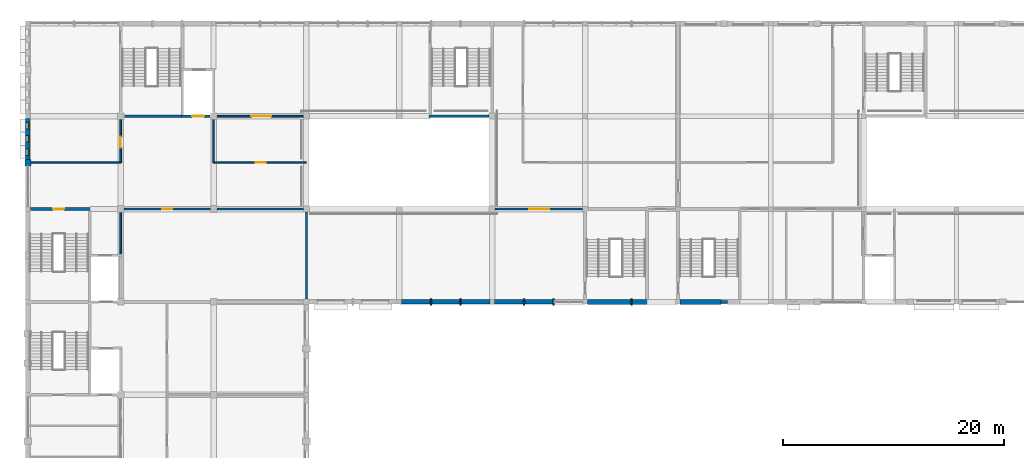
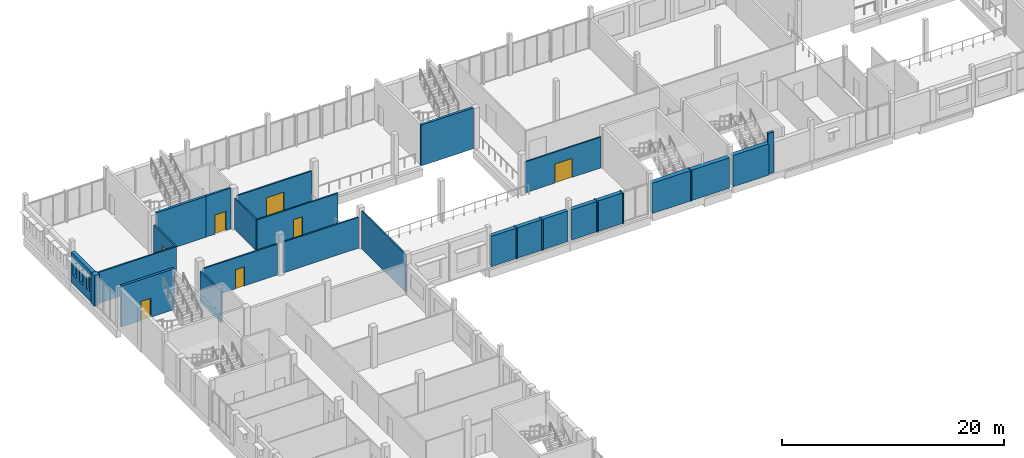
# One storey, part 97 of 116: 30 walls, 7 doors, 3 windows, 10 openings.
"""IFC4 building model written with IfcOpenShell, lengths in metres."""

import ifcopenshell
import ifcopenshell.guid

model = None  # the IFC model being written
_history = None  # IfcOwnerHistory: only IFC2X3 demands one
_inside = {}  # id of a spatial element -> (the spatial element, [elements in it])
_under = {}  # id of a project, library or spatial element -> (it, [spatial elements below it])
_declared = {}  # id of a project -> (the project, [libraries it declares])
_typed = {}  # id of a type object -> (the type object, [elements of that type])
_made_of = {}  # id of a material, layer set ... -> (it, [elements and type objects made of it])


def new_model(schema):
    """Start an empty IFC model of exactly this schema.

    Asked for "IFC4X3", IfcOpenShell would pick the latest addendum, in which some entities
    have other attributes; the version numbers below select the first issue.
    IFC2X3 requires an IfcOwnerHistory on every rooted entity: one is made here for all.
    """
    global model, _history
    if schema == "IFC4X3":
        model = ifcopenshell.file(schema_version=(4, 3, 0, 0))
    else:
        model = ifcopenshell.file(schema=schema)
    _inside.clear()
    _under.clear()
    _declared.clear()
    _typed.clear()
    _made_of.clear()
    _history = None
    if model.schema == "IFC2X3":
        org = make("IfcOrganization", Name="unknown")
        user = make(
            "IfcPersonAndOrganization",
            ThePerson=make("IfcPerson", FamilyName="unknown"),
            TheOrganization=org,
        )
        app = make(
            "IfcApplication",
            ApplicationDeveloper=org,
            Version="unknown",
            ApplicationFullName="unknown",
            ApplicationIdentifier="unknown",
        )
        _history = make(
            "IfcOwnerHistory",
            OwningUser=user,
            OwningApplication=app,
            ChangeAction="ADDED",
            CreationDate=0,
        )
    return model


def make(cls, **values):
    """One entity of the class cls with the attributes given. An attribute that is None is left unset."""
    return model.create_entity(
        cls, **{name: value for name, value in values.items() if value is not None}
    )


def rooted(cls, **values):
    """An entity with a GlobalId (a new one), such as an element, a storey or a relation."""
    return make(cls, GlobalId=ifcopenshell.guid.new(), OwnerHistory=_history, **values)


def si_unit(unit_type, name, prefix=None):
    """IfcSIUnit, for example si_unit("LENGTHUNIT", "METRE", prefix="MILLI")."""
    return make("IfcSIUnit", UnitType=unit_type, Prefix=prefix, Name=name)


def assignment(units):
    """IfcUnitAssignment: the units of a project."""
    return None if units is None else make("IfcUnitAssignment", Units=units)


def point(xyz):
    """IfcCartesianPoint."""
    return None if xyz is None else make("IfcCartesianPoint", Coordinates=xyz)


def direction(xyz):
    """IfcDirection."""
    return None if xyz is None else make("IfcDirection", DirectionRatios=xyz)


def frame(location, z_axis=None, x_axis=None):
    """IfcAxis2Placement3D, a coordinate frame: its origin and axes. An axis left out is left unset."""
    return make(
        "IfcAxis2Placement3D",
        Location=point(location),
        Axis=direction(z_axis),
        RefDirection=direction(x_axis),
    )


def frame_2d(location, x_axis=None):
    """IfcAxis2Placement2D, a coordinate frame in the plane: its origin and x axis."""
    return make(
        "IfcAxis2Placement2D", Location=point(location), RefDirection=direction(x_axis)
    )


def origin():
    """The frame at (0, 0, 0) with its axes left unset."""
    return frame((0.0, 0.0, 0.0))


def place(relative_to, where):
    """IfcLocalPlacement: puts the frame where relative to a parent placement (None: the world)."""
    return make(
        "IfcLocalPlacement", PlacementRelTo=relative_to, RelativePlacement=where
    )


def context(
    kind, dimensions, precision=None, world=None, true_north=None, identifier=None
):
    """IfcGeometricRepresentationContext, for example the 3D "Model" context."""
    return make(
        "IfcGeometricRepresentationContext",
        ContextIdentifier=identifier,
        ContextType=kind,
        CoordinateSpaceDimension=dimensions,
        Precision=precision,
        WorldCoordinateSystem=world,
        TrueNorth=true_north,
    )


def subcontext(parent, identifier, kind, view, scale=None):
    """IfcGeometricRepresentationSubContext, for example "Body" below "Model"."""
    return make(
        "IfcGeometricRepresentationSubContext",
        ContextIdentifier=identifier,
        ContextType=kind,
        ParentContext=parent,
        TargetScale=scale,
        TargetView=view,
    )


def project(units=None, contexts=None):
    """IfcProject with its units and contexts."""
    return rooted(
        "IfcProject",
        Name="project",
        RepresentationContexts=contexts,
        UnitsInContext=assignment(units),
    )


def spatial(cls, under=None, at=None, **own):
    """A site, building, storey or space (cls), placed at a placement, below another one or the project."""
    s = rooted(cls, ObjectPlacement=at, **own)
    if under is not None:
        _under.setdefault(under.id(), (under, []))[1].append(s)
    return s


def profile(cls, at=None, kind="AREA", **sizes):
    """A parametric profile (cls). Its sizes go by their IFC names, for example OverallWidth=200.0."""
    return make(cls, ProfileType=kind, Position=at, **sizes)


def rectangle(**sizes):
    """IfcRectangleProfileDef."""
    return profile("IfcRectangleProfileDef", **sizes)


def extrude(swept, where, along, depth):
    """IfcExtrudedAreaSolid: the profile swept, set in the frame where, extruded along a direction by depth."""
    return make(
        "IfcExtrudedAreaSolid",
        SweptArea=swept,
        Position=where,
        ExtrudedDirection=direction(along),
        Depth=depth,
    )


def shape(context_of_items, identifier, shape_type, items):
    """IfcShapeRepresentation: the items that make up one representation, for example the "Body"."""
    return make(
        "IfcShapeRepresentation",
        ContextOfItems=context_of_items,
        RepresentationIdentifier=identifier,
        RepresentationType=shape_type,
        Items=items,
    )


def material(Name=None, Category=None):
    """IfcMaterial."""
    return make("IfcMaterial", Name=Name, Category=Category)


def layer(
    of_material, thickness, ventilated=None, Name=None, Category=None, Priority=None
):
    """IfcMaterialLayer: one layer of a wall or slab, of a material (None: an air gap)."""
    return make(
        "IfcMaterialLayer",
        Material=of_material,
        LayerThickness=thickness,
        IsVentilated=ventilated,
        Name=Name,
        Category=Category,
        Priority=Priority,
    )


def layer_set(layers, Name=None):
    """IfcMaterialLayerSet."""
    return make("IfcMaterialLayerSet", MaterialLayers=layers, LayerSetName=Name)


def made_of(thing, what):
    """Note that an element or type object is made of a material, layer set ...; save() writes the relation."""
    if what is not None:
        _made_of.setdefault(what.id(), (what, []))[1].append(thing)
    return thing


def type_object(cls, material=None, **own):
    """A type object (cls), such as IfcWallType, which elements share."""
    return made_of(rooted(cls, **own), material)


def element(
    cls,
    number,
    at=None,
    inside=None,
    cuts=None,
    type_object=None,
    material=None,
    context=None,
    identifier="Body",
    shape_type=None,
    held_by="IfcProductDefinitionShape",
    body=None,
    shapes=None,
    **own,
):
    """One element of the class cls, such as IfcWall. Its Tag is "e" and its number.

    at: its placement. inside: the storey or other place that contains it. cuts: it is an
    opening in that element (IfcRelVoidsElement). A single representation is given by context,
    identifier, shape_type and body (its items); several are given by shapes. held_by: the class
    of the entity that holds the representations. save() writes the other relations.
    """
    e = rooted(cls, Tag="e%d" % number, ObjectPlacement=at, **own)
    if body is not None:
        shapes = [shape(context, identifier, shape_type, body)]
    if shapes is not None:
        e.Representation = make(held_by, Representations=shapes)
    if inside is not None:
        _inside.setdefault(inside.id(), (inside, []))[1].append(e)
    if cuts is not None:
        rooted(
            "IfcRelVoidsElement", RelatingBuildingElement=cuts, RelatedOpeningElement=e
        )
    if type_object is not None:
        _typed.setdefault(type_object.id(), (type_object, []))[1].append(e)
    return made_of(e, material)


def fill(opening, filler):
    """IfcRelFillsElement: the door or window that sits in an opening."""
    return rooted(
        "IfcRelFillsElement",
        RelatingOpeningElement=opening,
        RelatedBuildingElement=filler,
    )


def aggregate(whole, parts):
    """IfcRelAggregates: a whole, such as a stair, and the parts it consists of."""
    return rooted("IfcRelAggregates", RelatingObject=whole, RelatedObjects=parts)


def save(model, path):
    """Write the relations noted so far, then the file.

    IfcRelAggregates (storeys below a building ...), IfcRelContainedInSpatialStructure (elements
    in a storey), IfcRelDefinesByType, IfcRelAssociatesMaterial and IfcRelDeclares: one each for
    every whole, place, type object, material and project.
    """
    for whole, parts in _under.values():
        aggregate(whole, parts)
    for where, things in _inside.values():
        rooted(
            "IfcRelContainedInSpatialStructure",
            RelatedElements=things,
            RelatingStructure=where,
        )
    for kind, things in _typed.values():
        rooted("IfcRelDefinesByType", RelatedObjects=things, RelatingType=kind)
    for what, things in _made_of.values():
        rooted("IfcRelAssociatesMaterial", RelatedObjects=things, RelatingMaterial=what)
    for by, libraries in _declared.values():
        rooted("IfcRelDeclares", RelatingContext=by, RelatedDefinitions=libraries)
    model.write(path)


model = new_model("IFC4")

# Units and contexts
model_context = context("Model", 3, precision=1e-05, world=origin(), true_north=direction((0.0, 1.0)))
body_context = subcontext(model_context, "Body", "Model", "MODEL_VIEW")
ifc_project = project(units=[si_unit("LENGTHUNIT", "METRE"), si_unit("AREAUNIT", "SQUARE_METRE"), si_unit("VOLUMEUNIT", "CUBIC_METRE"), si_unit("PLANEANGLEUNIT", "RADIAN"), si_unit("MASSUNIT", "GRAM", prefix="KILO")], contexts=[model_context])

# Site, building, storey
site_placement = place(None, origin())
site = spatial("IfcSite", under=ifc_project, at=site_placement, CompositionType="ELEMENT")
building_placement = place(site_placement, origin())
building = spatial("IfcBuilding", under=site, at=building_placement, Name="Fescue Hill Polytechnic", CompositionType="ELEMENT")
storey_placement = place(building_placement, frame((0.0, 0.0, 13.5)))
storey = spatial("IfcBuildingStorey", under=building, at=storey_placement, Name="L03", CompositionType="ELEMENT", Elevation=13.5)

# Wall
ifc_material_1 = material(Name="Clay brick masonry", Category="masonry")
ifc_layer_1 = layer(ifc_material_1, 0.550048828125)
ifc_layer_set_1 = layer_set([ifc_layer_1], Name="Clay brick masonry")
wall_type_1 = type_object("IfcWallType", Name="Brick pier 600x550", PredefinedType="SOLIDWALL", material=ifc_layer_set_1)
wall_1_placement = place(storey_placement, frame((0.0, 122.10009765625, 0.0), z_axis=(0.0, 0.0, 1.0), x_axis=(0.0, -1.0, 0.0)))
element("IfcWall", 1, at=wall_1_placement, inside=storey, type_object=wall_type_1, Name="PR-L03-V5-19", PredefinedType="SOLIDWALL", context=body_context, shape_type="SweptSolid", body=[
    extrude(rectangle(XDim=0.60009765625, YDim=0.550048828125, at=frame_2d((0.300048828125, 0.0))), origin(), (0.0, 0.0, 1.0), 3.35009765625),
])

# Wall, opening, door
ifc_material_2 = material(Name="Concrete 40 MPa", Category="concrete")
ifc_layer_2 = layer(ifc_material_2, 0.25)
ifc_layer_set_2 = layer_set([ifc_layer_2], Name="Concrete 40 MPa")
wall_type_2 = type_object("IfcWallType", Name="Core wall 250", PredefinedType="SHEAR", material=ifc_layer_set_2)
wall_2_placement = place(storey_placement, frame((0.22509765625, 117.60009765625, 0.0), z_axis=(0.0, 0.0, 1.0), x_axis=(1.0, 0.0, 0.0)))
wall_2 = element("IfcWall", 2, at=wall_2_placement, inside=storey, type_object=wall_type_2, Name="CW-L03-ST-V5-1-21", PredefinedType="SHEAR", context=body_context, shape_type="SweptSolid", body=[
    extrude(rectangle(XDim=5.5, YDim=0.25, at=frame_2d((2.75, 0.0))), origin(), (0.0, 0.0, 1.0), 4.5),
])
opening_1_placement = place(wall_2_placement, frame((2.050048828125, 0.0, 0.0)))
opening_1 = element("IfcOpeningElement", 3, at=opening_1_placement, cuts=wall_2, Name="Opening D3041", PredefinedType="OPENING", context=body_context, shape_type="SweptSolid", body=[
    extrude(rectangle(XDim=1.0, YDim=2.10009765625, at=frame_2d((0.5, 1.050048828125))), frame((0.0, 0.135009765625, 0.0), z_axis=(0.0, -1.0, 0.0), x_axis=(1.0, 0.0, 0.0)), (0.0, 0.0, 1.0), 0.27001953125),
])
ifc_material_3 = material(Name="Steel fire door", Category="steel")
door_type_1 = type_object("IfcDoorType", Name="Door single swing 1000x2100 stair fire rated", OperationType="NOTDEFINED", PredefinedType="DOOR", material=ifc_material_3)
door_1_placement = place(opening_1_placement, origin())
door_1 = element("IfcDoor", 4, at=door_1_placement, inside=storey, type_object=door_type_1, Name="L03 ST-V5-1 stair door", OperationType="SINGLE_SWING_LEFT", OverallHeight=2.10009765625, OverallWidth=1.0, PredefinedType="DOOR", context=body_context, shape_type="SweptSolid", body=[
    extrude(rectangle(XDim=1.0, YDim=2.10009765625, at=frame_2d((0.5, 1.050048828125))), frame((0.0, 0.02490234375, 0.0), z_axis=(0.0, -1.0, 0.0), x_axis=(1.0, 0.0, 0.0)), (0.0, 0.0, 1.0), 0.050048828125),
])
fill(opening_1, door_1)

# Walls
wall_3_placement = place(storey_placement, frame((36.27490234375, 126.0, 0.0), z_axis=(0.0, 0.0, 1.0), x_axis=(1.0, 0.0, 0.0)))
element("IfcWall", 5, at=wall_3_placement, inside=storey, type_object=wall_type_2, Name="CW-L03-ST-V5-2-11", PredefinedType="SHEAR", context=body_context, shape_type="SweptSolid", body=[
    extrude(rectangle(XDim=5.425048828125, YDim=0.25, at=frame_2d((2.71240234375, 0.0))), origin(), (0.0, 0.0, 1.0), 4.5),
])
wall_4_placement = place(storey_placement, frame((8.72509765625, 126.0, 0.0), z_axis=(0.0, 0.0, 1.0), x_axis=(1.0, 0.0, 0.0)))
element("IfcWall", 6, at=wall_4_placement, inside=storey, type_object=wall_type_2, Name="CW-L03-ST-V5-3-11", PredefinedType="SHEAR", context=body_context, shape_type="SweptSolid", body=[
    extrude(rectangle(XDim=5.1748046875, YDim=0.25, at=frame_2d((2.58740234375, 0.0))), origin(), (0.0, 0.0, 1.0), 4.5),
])
wall_5_placement = place(storey_placement, frame((62.699951171875, 109.199951171875, 0.0), z_axis=(0.0, 0.0, 1.0), x_axis=(1.0, 0.0, 0.0)))
element("IfcWall", 7, at=wall_5_placement, inside=storey, type_object=wall_type_2, Name="SCW-L03-ST-V4b-1-s1", PredefinedType="SHEAR", context=body_context, shape_type="SweptSolid", body=[
    extrude(rectangle(XDim=0.60009765625, YDim=0.25, at=frame_2d((0.300048828125, 0.0))), origin(), (0.0, 0.0, 1.0), 4.5),
])

# Wall, opening, door
ifc_material_4 = material(Name="Gypsum board partition")
ifc_layer_3 = layer(ifc_material_4, 0.14990234375)
ifc_layer_set_3 = layer_set([ifc_layer_3], Name="Gypsum board partition")
wall_type_3 = type_object("IfcWallType", Name="Corridor wall 150 EI 45", PredefinedType="PARTITIONING", material=ifc_layer_set_3)
wall_6_placement = place(storey_placement, frame((8.699951171875, 117.60009765625, 0.0), z_axis=(0.0, 0.0, 1.0), x_axis=(1.0, 0.0, 0.0)))
wall_6 = element("IfcWall", 8, at=wall_6_placement, inside=storey, type_object=wall_type_3, Name="IW-L03-022", PredefinedType="PARTITIONING", context=body_context, shape_type="SweptSolid", body=[
    extrude(rectangle(XDim=7.800048828125, YDim=0.14990234375, at=frame_2d((3.89990234375, 0.0))), origin(), (0.0, 0.0, 1.0), 3.39990234375),
])
opening_2_placement = place(wall_6_placement, frame((3.449951171875, 0.0, 0.0)))
opening_2 = element("IfcOpeningElement", 9, at=opening_2_placement, cuts=wall_6, Name="Opening D3018", PredefinedType="OPENING", context=body_context, shape_type="SweptSolid", body=[
    extrude(rectangle(XDim=0.89990234375, YDim=2.10009765625, at=frame_2d((0.449951171875, 1.050048828125))), frame((0.0, 0.0849609375, 0.0), z_axis=(0.0, -1.0, 0.0), x_axis=(1.0, 0.0, 0.0)), (0.0, 0.0, 1.0), 0.169921875),
])
ifc_material_5 = material(Name="Timber", Category="wood")
door_type_2 = type_object("IfcDoorType", Name="Door single swing 900x2100 FD30S", OperationType="SINGLE_SWING_LEFT", PredefinedType="DOOR", material=ifc_material_5)
door_2_placement = place(opening_2_placement, origin())
door_2 = element("IfcDoor", 10, at=door_2_placement, inside=storey, type_object=door_type_2, Name="Door D3018", OperationType="SINGLE_SWING_RIGHT", OverallHeight=2.10009765625, OverallWidth=0.89990234375, PredefinedType="DOOR", context=body_context, shape_type="SweptSolid", body=[
    extrude(rectangle(XDim=0.89990234375, YDim=2.10009765625, at=frame_2d((0.449951171875, 1.050048828125))), frame((0.0, 0.02490234375, 0.0), z_axis=(0.0, -1.0, 0.0), x_axis=(1.0, 0.0, 0.0)), (0.0, 0.0, 1.0), 0.050048828125),
])
fill(opening_2, door_2)

# Wall
wall_7_placement = place(storey_placement, frame((17.10009765625, 117.60009765625, 0.0), z_axis=(0.0, 0.0, 1.0), x_axis=(1.0, 0.0, 0.0)))
element("IfcWall", 11, at=wall_7_placement, inside=storey, type_object=wall_type_3, Name="IW-L03-023", PredefinedType="PARTITIONING", context=body_context, shape_type="SweptSolid", body=[
    extrude(rectangle(XDim=7.824951171875, YDim=0.14990234375, at=frame_2d((3.91259765625, 0.0))), origin(), (0.0, 0.0, 1.0), 3.39990234375),
])

# Wall, opening, door
wall_8_placement = place(storey_placement, frame((42.27490234375, 117.60009765625, 0.0), z_axis=(0.0, 0.0, 1.0), x_axis=(1.0, 0.0, 0.0)))
wall_8 = element("IfcWall", 12, at=wall_8_placement, inside=storey, type_object=wall_type_3, Name="IW-L03-024", PredefinedType="PARTITIONING", context=body_context, shape_type="SweptSolid", body=[
    extrude(rectangle(XDim=7.900146484375, YDim=0.14990234375, at=frame_2d((3.9501953125, 0.0))), origin(), (0.0, 0.0, 1.0), 3.39990234375),
])
opening_3_placement = place(wall_8_placement, frame((3.10009765625, 0.0, 0.0)))
opening_3 = element("IfcOpeningElement", 13, at=opening_3_placement, cuts=wall_8, Name="Opening D3019", PredefinedType="OPENING", context=body_context, shape_type="SweptSolid", body=[
    extrude(rectangle(XDim=1.800048828125, YDim=2.10009765625, at=frame_2d((0.89990234375, 1.050048828125))), frame((0.0, 0.0849609375, 0.0), z_axis=(0.0, -1.0, 0.0), x_axis=(1.0, 0.0, 0.0)), (0.0, 0.0, 1.0), 0.169921875),
])
door_type_3 = type_object("IfcDoorType", Name="Door double swing 1800x2100 FD30S", OperationType="DOUBLE_DOOR_SINGLE_SWING", PredefinedType="DOOR", material=ifc_material_5)
door_3_placement = place(opening_3_placement, origin())
door_3 = element("IfcDoor", 14, at=door_3_placement, inside=storey, type_object=door_type_3, Name="Door D3019", OperationType="DOUBLE_DOOR_SINGLE_SWING", OverallHeight=2.10009765625, OverallWidth=1.800048828125, PredefinedType="DOOR", context=body_context, shape_type="SweptSolid", body=[
    extrude(rectangle(XDim=1.800048828125, YDim=2.10009765625, at=frame_2d((0.89990234375, 1.050048828125))), frame((0.0, 0.02490234375, 0.0), z_axis=(0.0, -1.0, 0.0), x_axis=(1.0, 0.0, 0.0)), (0.0, 0.0, 1.0), 0.050048828125),
])
fill(opening_3, door_3)

# Wall
wall_9_placement = place(storey_placement, frame((0.27490234375, 121.800048828125, 0.0), z_axis=(0.0, 0.0, 1.0), x_axis=(1.0, 0.0, 0.0)))
element("IfcWall", 15, at=wall_9_placement, inside=storey, type_object=wall_type_3, Name="IW-L03-031", PredefinedType="PARTITIONING", context=body_context, shape_type="SweptSolid", body=[
    extrude(rectangle(XDim=8.125, YDim=0.14990234375, at=frame_2d((4.0625, 0.0))), origin(), (0.0, 0.0, 1.0), 3.39990234375),
])

# Wall, opening, door
wall_10_placement = place(storey_placement, frame((16.800048828125, 121.800048828125, 0.0), z_axis=(0.0, 0.0, 1.0), x_axis=(1.0, 0.0, 0.0)))
wall_10 = element("IfcWall", 16, at=wall_10_placement, inside=storey, type_object=wall_type_3, Name="IW-L03-032", PredefinedType="PARTITIONING", context=body_context, shape_type="SweptSolid", body=[
    extrude(rectangle(XDim=8.39990234375, YDim=0.14990234375, at=frame_2d((4.199951171875, 0.0))), origin(), (0.0, 0.0, 1.0), 3.39990234375),
])
opening_4_placement = place(wall_10_placement, frame((3.800048828125, 0.0, 0.0)))
opening_4 = element("IfcOpeningElement", 17, at=opening_4_placement, cuts=wall_10, Name="Opening D3020", PredefinedType="OPENING", context=body_context, shape_type="SweptSolid", body=[
    extrude(rectangle(XDim=0.89990234375, YDim=2.10009765625, at=frame_2d((0.449951171875, 1.050048828125))), frame((0.0, 0.0849609375, 0.0), z_axis=(0.0, -1.0, 0.0), x_axis=(1.0, 0.0, 0.0)), (0.0, 0.0, 1.0), 0.169921875),
])
door_4_placement = place(opening_4_placement, origin())
door_4 = element("IfcDoor", 18, at=door_4_placement, inside=storey, type_object=door_type_2, Name="Door D3020", OperationType="SINGLE_SWING_RIGHT", OverallHeight=2.10009765625, OverallWidth=0.89990234375, PredefinedType="DOOR", context=body_context, shape_type="SweptSolid", body=[
    extrude(rectangle(XDim=0.89990234375, YDim=2.10009765625, at=frame_2d((0.449951171875, 1.050048828125))), frame((0.0, 0.02490234375, 0.0), z_axis=(0.0, -1.0, 0.0), x_axis=(1.0, 0.0, 0.0)), (0.0, 0.0, 1.0), 0.050048828125),
])
fill(opening_4, door_4)

# Walls
ifc_layer_4 = layer(ifc_material_2, 0.449951171875)
ifc_layer_set_4 = layer_set([ifc_layer_4], Name="Concrete 40 MPa")
wall_type_4 = type_object("IfcWallType", Name="Exterior wall board-marked concrete 450 load-bearing", PredefinedType="SOLIDWALL", material=ifc_layer_set_4)
wall_11_placement = place(storey_placement, frame((50.60009765625, 109.199951171875, 0.0), z_axis=(0.0, 0.0, 1.0), x_axis=(1.0, 0.0, 0.0)))
element("IfcWall", 19, at=wall_11_placement, inside=storey, type_object=wall_type_4, Name="EW-L03-V5-9", PredefinedType="SOLIDWALL", context=body_context, shape_type="SweptSolid", body=[
    extrude(rectangle(XDim=3.93994140625, YDim=0.449951171875, at=frame_2d((1.969970703125, 0.0))), origin(), (0.0, 0.0, 1.0), 3.35009765625),
])
wall_12_placement = place(storey_placement, frame((54.659912109375, 109.199951171875, 0.0), z_axis=(0.0, 0.0, 1.0), x_axis=(1.0, 0.0, 0.0)))
element("IfcWall", 20, at=wall_12_placement, inside=storey, type_object=wall_type_4, Name="EW-L03-V5-10", PredefinedType="SOLIDWALL", context=body_context, shape_type="SweptSolid", body=[
    extrude(rectangle(XDim=3.940185546875, YDim=0.449951171875, at=frame_2d((1.97021484375, 0.0))), origin(), (0.0, 0.0, 1.0), 3.35009765625),
])
wall_13_placement = place(storey_placement, frame((59.0, 109.199951171875, 0.0), z_axis=(0.0, 0.0, 1.0), x_axis=(1.0, 0.0, 0.0)))
element("IfcWall", 21, at=wall_13_placement, inside=storey, type_object=wall_type_4, Name="EW-L03-V4b-1", PredefinedType="SOLIDWALL", context=body_context, shape_type="SweptSolid", body=[
    extrude(rectangle(XDim=3.699951171875, YDim=0.449951171875, at=frame_2d((1.85009765625, 0.0))), origin(), (0.0, 0.0, 1.0), 3.449951171875),
])

# Wall, openings, windows
ifc_layer_5 = layer(ifc_material_1, 0.419921875)
ifc_layer_set_5 = layer_set([ifc_layer_5], Name="Clay brick masonry")
wall_type_5 = type_object("IfcWallType", Name="Exterior wall buff-red brick cavity 420", PredefinedType="SOLIDWALL", material=ifc_layer_set_5)
wall_14_placement = place(storey_placement, frame((0.0, 125.800048828125, 0.0), z_axis=(0.0, 0.0, 1.0), x_axis=(0.0, -1.0, 0.0)))
wall_14 = element("IfcWall", 22, at=wall_14_placement, inside=storey, type_object=wall_type_5, Name="EW-L03-V5-21", PredefinedType="SOLIDWALL", context=body_context, shape_type="SweptSolid", body=[
    extrude(rectangle(XDim=3.699951171875, YDim=0.419921875, at=frame_2d((1.85009765625, 0.0))), origin(), (0.0, 0.0, 1.0), 3.35009765625),
])
opening_5_placement = place(wall_14_placement, frame((0.35009765625, 0.0, 1.0)))
opening_5 = element("IfcOpeningElement", 23, at=opening_5_placement, cuts=wall_14, Name="Opening W6R", PredefinedType="OPENING", context=body_context, shape_type="SweptSolid", body=[
    extrude(rectangle(XDim=0.60009765625, YDim=1.800048828125, at=frame_2d((0.300048828125, 0.89990234375))), frame((0.0, 0.219970703125, 0.0), z_axis=(0.0, -1.0, 0.0), x_axis=(1.0, 0.0, 0.0)), (0.0, 0.0, 1.0), 0.43994140625),
])
opening_6_placement = place(wall_14_placement, frame((1.550048828125, 0.0, 1.0)))
opening_6 = element("IfcOpeningElement", 24, at=opening_6_placement, cuts=wall_14, Name="Opening W6R", PredefinedType="OPENING", context=body_context, shape_type="SweptSolid", body=[
    extrude(rectangle(XDim=0.60009765625, YDim=1.800048828125, at=frame_2d((0.300048828125, 0.89990234375))), frame((0.0, 0.219970703125, 0.0), z_axis=(0.0, -1.0, 0.0), x_axis=(1.0, 0.0, 0.0)), (0.0, 0.0, 1.0), 0.43994140625),
])
opening_7_placement = place(wall_14_placement, frame((2.75, 0.0, 1.0)))
opening_7 = element("IfcOpeningElement", 25, at=opening_7_placement, cuts=wall_14, Name="Opening W6R", PredefinedType="OPENING", context=body_context, shape_type="SweptSolid", body=[
    extrude(rectangle(XDim=0.60009765625, YDim=1.800048828125, at=frame_2d((0.300048828125, 0.89990234375))), frame((0.0, 0.219970703125, 0.0), z_axis=(0.0, -1.0, 0.0), x_axis=(1.0, 0.0, 0.0)), (0.0, 0.0, 1.0), 0.43994140625),
])
ifc_material_6 = material(Name="Powder-coated aluminium and glass", Category="aluminium")
window_type = type_object("IfcWindowType", Name="Window slot 600x1800", PartitioningType="SINGLE_PANEL", PredefinedType="WINDOW", material=ifc_material_6)
window_1_placement = place(opening_5_placement, origin())
window_1 = element("IfcWindow", 26, at=window_1_placement, inside=storey, type_object=window_type, Name="WN-L03-V5-9", OverallHeight=1.800048828125, OverallWidth=0.60009765625, PartitioningType="SINGLE_PANEL", PredefinedType="WINDOW", context=body_context, shape_type="SweptSolid", body=[
    extrude(rectangle(XDim=0.60009765625, YDim=1.800048828125, at=frame_2d((0.300048828125, 0.89990234375))), frame((0.0, 0.150146484375, 0.0), z_axis=(0.0, -1.0, 0.0), x_axis=(1.0, 0.0, 0.0)), (0.0, 0.0, 1.0), 0.06005859375),
])
fill(opening_5, window_1)
window_2_placement = place(opening_6_placement, origin())
window_2 = element("IfcWindow", 27, at=window_2_placement, inside=storey, type_object=window_type, Name="WN-L03-V5-10", OverallHeight=1.800048828125, OverallWidth=0.60009765625, PartitioningType="SINGLE_PANEL", PredefinedType="WINDOW", context=body_context, shape_type="SweptSolid", body=[
    extrude(rectangle(XDim=0.60009765625, YDim=1.800048828125, at=frame_2d((0.300048828125, 0.89990234375))), frame((0.0, 0.150146484375, 0.0), z_axis=(0.0, -1.0, 0.0), x_axis=(1.0, 0.0, 0.0)), (0.0, 0.0, 1.0), 0.06005859375),
])
fill(opening_6, window_2)
window_3_placement = place(opening_7_placement, origin())
window_3 = element("IfcWindow", 28, at=window_3_placement, inside=storey, type_object=window_type, Name="WN-L03-V5-11", OverallHeight=1.800048828125, OverallWidth=0.60009765625, PartitioningType="SINGLE_PANEL", PredefinedType="WINDOW", context=body_context, shape_type="SweptSolid", body=[
    extrude(rectangle(XDim=0.60009765625, YDim=1.800048828125, at=frame_2d((0.300048828125, 0.89990234375))), frame((0.0, 0.150146484375, 0.0), z_axis=(0.0, -1.0, 0.0), x_axis=(1.0, 0.0, 0.0)), (0.0, 0.0, 1.0), 0.06005859375),
])
fill(opening_7, window_3)

# Walls
ifc_layer_6 = layer(ifc_material_1, 0.39990234375)
ifc_layer_set_6 = layer_set([ifc_layer_6], Name="Clay brick masonry")
wall_type_6 = type_object("IfcWallType", Name="Exterior wall clinker brick cavity 400", PredefinedType="SOLIDWALL", material=ifc_layer_set_6)
wall_15_placement = place(storey_placement, frame((33.800048828125, 109.199951171875, 0.0), z_axis=(0.0, 0.0, 1.0), x_axis=(1.0, 0.0, 0.0)))
element("IfcWall", 29, at=wall_15_placement, inside=storey, type_object=wall_type_6, Name="EW-L03-V5-3", PredefinedType="SOLIDWALL", context=body_context, shape_type="SweptSolid", body=[
    extrude(rectangle(XDim=2.606689453125, YDim=0.39990234375, at=frame_2d((1.30322265625, 0.0))), origin(), (0.0, 0.0, 1.0), 3.35009765625),
])
wall_16_placement = place(storey_placement, frame((36.526611328125, 109.199951171875, 0.0), z_axis=(0.0, 0.0, 1.0), x_axis=(1.0, 0.0, 0.0)))
element("IfcWall", 30, at=wall_16_placement, inside=storey, type_object=wall_type_6, Name="EW-L03-V5-4", PredefinedType="SOLIDWALL", context=body_context, shape_type="SweptSolid", body=[
    extrude(rectangle(XDim=2.546630859375, YDim=0.39990234375, at=frame_2d((1.2734375, 0.0))), origin(), (0.0, 0.0, 1.0), 3.35009765625),
])
for number, where, z_axis, x_axis, name in (
    (31, (39.193359375, 109.199951171875, 0.0), (0.0, 0.0, 1.0), (1.0, 0.0, 0.0), "EW-L03-V5-5"),
    (32, (42.199951171875, 109.199951171875, 0.0), (0.0, 0.0, 1.0), (1.0, 0.0, 0.0), "EW-L03-V5-6"),
):
    element("IfcWall", number, at=place(storey_placement, frame(where, z_axis=z_axis, x_axis=x_axis)), inside=storey, type_object=wall_type_6, Name=name, PredefinedType="SOLIDWALL", context=body_context, shape_type="SweptSolid", body=[
        extrude(rectangle(XDim=2.606689453125, YDim=0.39990234375, at=frame_2d((1.30322265625, 0.0))), origin(), (0.0, 0.0, 1.0), 3.35009765625),
    ])
wall_17_placement = place(storey_placement, frame((44.9267578125, 109.199951171875, 0.0), z_axis=(0.0, 0.0, 1.0), x_axis=(1.0, 0.0, 0.0)))
element("IfcWall", 33, at=wall_17_placement, inside=storey, type_object=wall_type_6, Name="EW-L03-V5-7", PredefinedType="SOLIDWALL", context=body_context, shape_type="SweptSolid", body=[
    extrude(rectangle(XDim=2.546630859375, YDim=0.39990234375, at=frame_2d((1.2734375, 0.0))), origin(), (0.0, 0.0, 1.0), 3.35009765625),
])

# Wall, opening, door
ifc_layer_7 = layer(ifc_material_2, 0.199951171875)
ifc_layer_set_7 = layer_set([ifc_layer_7], Name="Concrete 40 MPa")
wall_type_7 = type_object("IfcWallType", Name="Lift shaft wall 200", PredefinedType="SHEAR", material=ifc_layer_set_7)
wall_18_placement = place(storey_placement, frame((13.89990234375, 126.0, 0.0), z_axis=(0.0, 0.0, 1.0), x_axis=(1.0, 0.0, 0.0)))
wall_18 = element("IfcWall", 34, at=wall_18_placement, inside=storey, type_object=wall_type_7, Name="CW-L03-LF-V5-2-11", PredefinedType="SHEAR", context=body_context, shape_type="SweptSolid", body=[
    extrude(rectangle(XDim=2.5751953125, YDim=0.199951171875, at=frame_2d((1.28759765625, 0.0))), origin(), (0.0, 0.0, 1.0), 4.5),
])
opening_8_placement = place(wall_18_placement, frame((0.949951171875, 0.0, 0.0)))
opening_8 = element("IfcOpeningElement", 35, at=opening_8_placement, cuts=wall_18, Name="Opening LD7-L03", PredefinedType="OPENING", context=body_context, shape_type="SweptSolid", body=[
    extrude(rectangle(XDim=1.10009765625, YDim=2.10009765625, at=frame_2d((0.550048828125, 1.050048828125))), frame((0.0, 0.10986328125, 0.0), z_axis=(0.0, -1.0, 0.0), x_axis=(1.0, 0.0, 0.0)), (0.0, 0.0, 1.0), 0.219970703125),
])
ifc_material_7 = material(Name="Stainless steel", Category="steel")
door_type_4 = type_object("IfcDoorType", Name="Lift landing door sliding 1100x2100", OperationType="SLIDING_TO_LEFT", PredefinedType="DOOR", material=ifc_material_7)
door_5_placement = place(opening_8_placement, origin())
door_5 = element("IfcDoor", 36, at=door_5_placement, inside=storey, type_object=door_type_4, Name="L03 LF-V5-2 lift landing door", OperationType="SLIDING_TO_RIGHT", OverallHeight=2.10009765625, OverallWidth=1.10009765625, PredefinedType="DOOR", context=body_context, shape_type="SweptSolid", body=[
    extrude(rectangle(XDim=1.10009765625, YDim=2.10009765625, at=frame_2d((0.550048828125, 1.050048828125))), frame((0.0, 0.02490234375, 0.0), z_axis=(0.0, -1.0, 0.0), x_axis=(1.0, 0.0, 0.0)), (0.0, 0.0, 1.0), 0.050048828125),
])
fill(opening_8, door_5)

# Wall
ifc_layer_8 = layer(ifc_material_4, 0.14990234375)
ifc_layer_set_8 = layer_set([ifc_layer_8], Name="Gypsum board partition")
wall_type_8 = type_object("IfcWallType", Name="Lobby wall 150 EI 60", PredefinedType="PARTITIONING", material=ifc_layer_set_8)
wall_19_placement = place(storey_placement, frame((8.39990234375, 113.550048828125, 0.0), z_axis=(0.0, 0.0, 1.0), x_axis=(0.0, 1.0, 0.0)))
element("IfcWall", 37, at=wall_19_placement, inside=storey, type_object=wall_type_8, Name="IW-L03-041", PredefinedType="PARTITIONING", context=body_context, shape_type="SweptSolid", body=[
    extrude(rectangle(XDim=3.75, YDim=0.14990234375, at=frame_2d((1.875, 0.0))), origin(), (0.0, 0.0, 1.0), 3.39990234375),
])

# Wall, opening, door
wall_20_placement = place(storey_placement, frame((8.39990234375, 121.800048828125, 0.0), z_axis=(0.0, 0.0, 1.0), x_axis=(0.0, 1.0, 0.0)))
wall_20 = element("IfcWall", 38, at=wall_20_placement, inside=storey, type_object=wall_type_8, Name="IW-L03-042", PredefinedType="PARTITIONING", context=body_context, shape_type="SweptSolid", body=[
    extrude(rectangle(XDim=3.89990234375, YDim=0.14990234375, at=frame_2d((1.949951171875, 0.0))), origin(), (0.0, 0.0, 1.0), 3.39990234375),
])
opening_9_placement = place(wall_20_placement, frame((1.35009765625, 0.0, 0.0)))
opening_9 = element("IfcOpeningElement", 39, at=opening_9_placement, cuts=wall_20, Name="Opening D3022", PredefinedType="OPENING", context=body_context, shape_type="SweptSolid", body=[
    extrude(rectangle(XDim=1.0, YDim=2.10009765625, at=frame_2d((0.5, 1.050048828125))), frame((0.0, 0.0849609375, 0.0), z_axis=(0.0, -1.0, 0.0), x_axis=(1.0, 0.0, 0.0)), (0.0, 0.0, 1.0), 0.169921875),
])
ifc_material_8 = material(Name="Steel", Category="steel")
door_type_5 = type_object("IfcDoorType", Name="Door single swing 1000x2100 FD60", OperationType="SINGLE_SWING_LEFT", PredefinedType="DOOR", material=ifc_material_8)
door_6_placement = place(opening_9_placement, origin())
door_6 = element("IfcDoor", 40, at=door_6_placement, inside=storey, type_object=door_type_5, Name="Door D3022", OperationType="SINGLE_SWING_LEFT", OverallHeight=2.10009765625, OverallWidth=1.0, PredefinedType="DOOR", context=body_context, shape_type="SweptSolid", body=[
    extrude(rectangle(XDim=1.0, YDim=2.10009765625, at=frame_2d((0.5, 1.050048828125))), frame((0.0, 0.02490234375, 0.0), z_axis=(0.0, -1.0, 0.0), x_axis=(1.0, 0.0, 0.0)), (0.0, 0.0, 1.0), 0.050048828125),
])
fill(opening_9, door_6)

# Wall
wall_21_placement = place(storey_placement, frame((16.800048828125, 121.800048828125, 0.0), z_axis=(0.0, 0.0, 1.0), x_axis=(0.0, 1.0, 0.0)))
element("IfcWall", 41, at=wall_21_placement, inside=storey, type_object=wall_type_8, Name="IW-L03-049", PredefinedType="PARTITIONING", context=body_context, shape_type="SweptSolid", body=[
    extrude(rectangle(XDim=3.89990234375, YDim=0.14990234375, at=frame_2d((1.949951171875, 0.0))), origin(), (0.0, 0.0, 1.0), 3.39990234375),
])

# Wall, opening, door
ifc_layer_9 = layer(ifc_material_4, 0.14990234375)
ifc_layer_set_9 = layer_set([ifc_layer_9], Name="Gypsum board partition")
wall_type_9 = type_object("IfcWallType", Name="Partition stud 150 acoustic", PredefinedType="PARTITIONING", material=ifc_layer_set_9)
wall_22_placement = place(storey_placement, frame((17.10009765625, 126.0, 0.0), z_axis=(0.0, 0.0, 1.0), x_axis=(1.0, 0.0, 0.0)))
wall_22 = element("IfcWall", 42, at=wall_22_placement, inside=storey, type_object=wall_type_9, Name="IW-L03-036", PredefinedType="PARTITIONING", context=body_context, shape_type="SweptSolid", body=[
    extrude(rectangle(XDim=7.824951171875, YDim=0.14990234375, at=frame_2d((3.91259765625, 0.0))), origin(), (0.0, 0.0, 1.0), 3.39990234375),
])
opening_10_placement = place(wall_22_placement, frame((3.10009765625, 0.0, 0.0)))
opening_10 = element("IfcOpeningElement", 43, at=opening_10_placement, cuts=wall_22, Name="Opening D3021", PredefinedType="OPENING", context=body_context, shape_type="SweptSolid", body=[
    extrude(rectangle(XDim=1.800048828125, YDim=2.10009765625, at=frame_2d((0.89990234375, 1.050048828125))), frame((0.0, 0.0849609375, 0.0), z_axis=(0.0, -1.0, 0.0), x_axis=(1.0, 0.0, 0.0)), (0.0, 0.0, 1.0), 0.169921875),
])
door_type_6 = type_object("IfcDoorType", Name="Door double swing 1800x2100", OperationType="DOUBLE_DOOR_SINGLE_SWING", PredefinedType="DOOR", material=ifc_material_5)
door_7_placement = place(opening_10_placement, origin())
door_7 = element("IfcDoor", 44, at=door_7_placement, inside=storey, type_object=door_type_6, Name="Door D3021", OperationType="DOUBLE_DOOR_SINGLE_SWING", OverallHeight=2.10009765625, OverallWidth=1.800048828125, PredefinedType="DOOR", context=body_context, shape_type="SweptSolid", body=[
    extrude(rectangle(XDim=1.800048828125, YDim=2.10009765625, at=frame_2d((0.89990234375, 1.050048828125))), frame((0.0, 0.02490234375, 0.0), z_axis=(0.0, -1.0, 0.0), x_axis=(1.0, 0.0, 0.0)), (0.0, 0.0, 1.0), 0.050048828125),
])
fill(opening_10, door_7)

# Walls
wall_23_placement = place(storey_placement, frame((25.199951171875, 109.449951171875, 0.0), z_axis=(0.0, 0.0, 1.0), x_axis=(0.0, 1.0, 0.0)))
element("IfcWall", 45, at=wall_23_placement, inside=storey, type_object=wall_type_9, Name="IW-L03-050", PredefinedType="PARTITIONING", context=body_context, shape_type="SweptSolid", body=[
    extrude(rectangle(XDim=7.875, YDim=0.14990234375, at=frame_2d((3.9375, 0.0))), origin(), (0.0, 0.0, 1.0), 4.14990234375),
])
ifc_material_9 = material(Name="Glulam 24f-EX", Category="wood")
ifc_layer_10 = layer(ifc_material_9, 0.60009765625)
ifc_layer_set_10 = layer_set([ifc_layer_10], Name="Glulam 24f-EX")
wall_type_10 = type_object("IfcWallType", Name="Timber fin 120x600", PredefinedType="SOLIDWALL", material=ifc_layer_set_10)
wall_24_placement = place(storey_placement, frame((36.40673828125, 109.199951171875, 0.0), z_axis=(0.0, 0.0, 1.0), x_axis=(1.0, 0.0, 0.0)))
element("IfcWall", 46, at=wall_24_placement, inside=storey, type_object=wall_type_10, Name="PR-L03-V5-2", PredefinedType="SOLIDWALL", context=body_context, shape_type="SweptSolid", body=[
    extrude(rectangle(XDim=0.119873046875, YDim=0.60009765625, at=frame_2d((0.06005859375, 0.0))), origin(), (0.0, 0.0, 1.0), 3.35009765625),
])
for number, where, z_axis, x_axis, name in (
    (47, (39.0732421875, 109.199951171875, 0.0), (0.0, 0.0, 1.0), (1.0, 0.0, 0.0), "PR-L03-V5-3"),
    (48, (44.806640625, 109.199951171875, 0.0), (0.0, 0.0, 1.0), (1.0, 0.0, 0.0), "PR-L03-V5-4"),
):
    element("IfcWall", number, at=place(storey_placement, frame(where, z_axis=z_axis, x_axis=x_axis)), inside=storey, type_object=wall_type_10, Name=name, PredefinedType="SOLIDWALL", context=body_context, shape_type="SweptSolid", body=[
        extrude(rectangle(XDim=0.1201171875, YDim=0.60009765625, at=frame_2d((0.06005859375, 0.0))), origin(), (0.0, 0.0, 1.0), 3.35009765625),
    ])
for number, where, z_axis, x_axis, name in (
    (49, (47.473388671875, 109.199951171875, 0.0), (0.0, 0.0, 1.0), (1.0, 0.0, 0.0), "PR-L03-V5-5"),
    (50, (54.5400390625, 109.199951171875, 0.0), (0.0, 0.0, 1.0), (1.0, 0.0, 0.0), "PR-L03-V5-6"),
):
    element("IfcWall", number, at=place(storey_placement, frame(where, z_axis=z_axis, x_axis=x_axis)), inside=storey, type_object=wall_type_10, Name=name, PredefinedType="SOLIDWALL", context=body_context, shape_type="SweptSolid", body=[
        extrude(rectangle(XDim=0.119873046875, YDim=0.60009765625, at=frame_2d((0.06005859375, 0.0))), origin(), (0.0, 0.0, 1.0), 3.35009765625),
    ])

save(model, "model.ifc")
